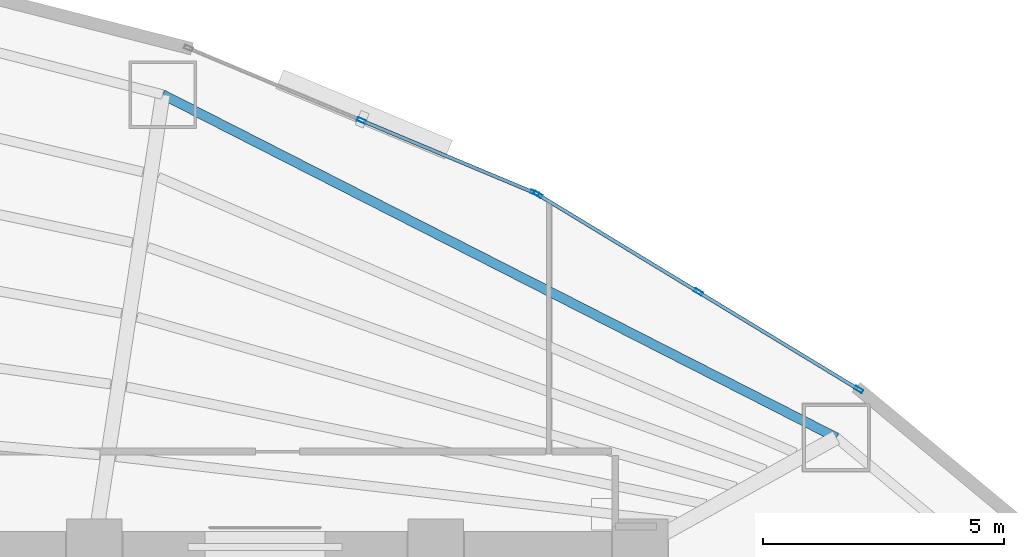
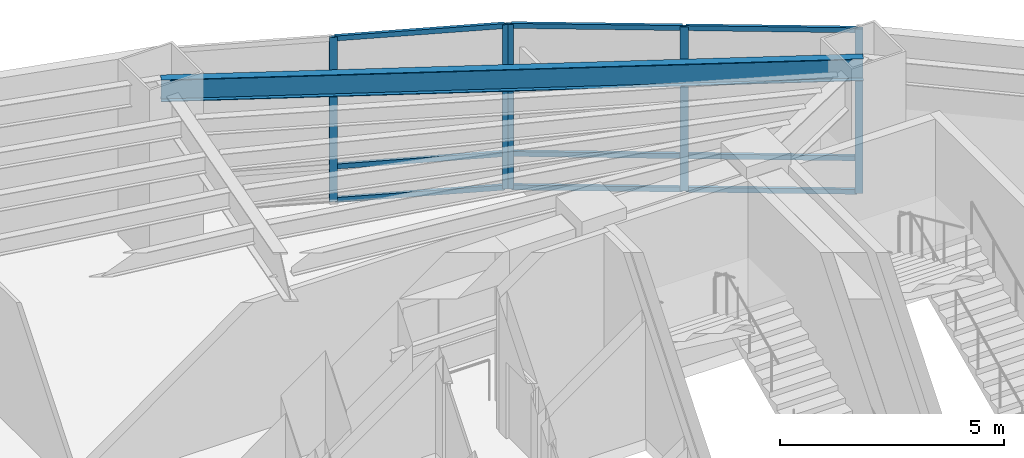
# One storey, part 10 of 18: 14 members, 1 beam, 2 elements without a shape of their own.
"""IFC4 building model written with IfcOpenShell, lengths in metres."""

from ifc_helpers import new_model, si_unit, direction, frame, origin, origin_2d, place, context, subcontext, project, spatial, hollow_rectangle, i_section, extrude, material, layer, layer_set, material_profile, profile_set, type_object, element, aggregate, save


model = new_model("IFC4")

# Units and contexts
model_context = context("Model", 3, precision=1e-05, world=origin(), true_north=direction((0.0, 1.0)))
body_context = subcontext(model_context, "Body", "Model", "MODEL_VIEW")
ifc_project = project(units=[si_unit("LENGTHUNIT", "METRE"), si_unit("AREAUNIT", "SQUARE_METRE"), si_unit("VOLUMEUNIT", "CUBIC_METRE"), si_unit("PLANEANGLEUNIT", "RADIAN"), si_unit("MASSUNIT", "GRAM", prefix="KILO")], contexts=[model_context])

# Site, building, storey
site_placement = place(None, origin())
site = spatial("IfcSite", under=ifc_project, at=site_placement, CompositionType="ELEMENT")
building_placement = place(site_placement, origin())
building = spatial("IfcBuilding", under=site, at=building_placement, Name="Menara Vayukalpa", CompositionType="ELEMENT")
storey_placement = place(building_placement, frame((0.0, 0.0, 7.199951171875)))
storey = spatial("IfcBuildingStorey", under=building, at=storey_placement, Name="L01", CompositionType="ELEMENT", Elevation=7.199951171875)

# Beam
ifc_material_1 = material(Name="Steel S355", Category="steel")
ifc_material_profile_1 = material_profile(ifc_material_1, i_section(OverallWidth=0.199951171875, OverallDepth=0.60009765625, WebThickness=0.010986328125, FlangeThickness=0.01708984375, at=origin_2d()), Name="WF 600x200x11x17")
ifc_profile_set_1 = profile_set([ifc_material_profile_1], Name="Steel S355")
beam_type = type_object("IfcBeamType", Name="BM-SP1", PredefinedType="SPANDREL", material=ifc_profile_set_1)
beam_placement = place(storey_placement, frame((37.47412109375, 29.07080078125, 4.179931640625), z_axis=(-0.891101872915, 0.453803318726, 0.0), x_axis=(-0.453803318726, -0.891101872915, 0.0)))
element("IfcBeam", 1, at=beam_placement, inside=storey, type_object=beam_type, Name="L01 Perimeter Spandrel Beam SP02", PredefinedType="SPANDREL", context=body_context, shape_type="SweptSolid", body=[
    extrude(i_section(OverallWidth=0.199951171875, OverallDepth=0.60009765625, WebThickness=0.010986328125, FlangeThickness=0.01708984375, at=origin_2d()), origin(), (0.0, 0.0, 1.0), 15.709228515625),
])

# Curtain wall, members
ifc_material_2 = material(Name="Anodised Terracotta Aluminium Alloy 6063-T6", Category="masonry")
ifc_layer = layer(ifc_material_2, 0.179931640625)
ifc_layer_set = layer_set([ifc_layer], Name="Anodised Terracotta Aluminium Alloy 6063-T6")
curtain_wall_type = type_object("IfcCurtainWallType", Name="CW-CW1", PredefinedType="USERDEFINED", material=ifc_layer_set)
curtain_wall_1_placement = place(storey_placement, origin())
curtain_wall_1 = element("IfcCurtainWall", 2, at=curtain_wall_1_placement, inside=storey, type_object=curtain_wall_type, Name="L01 Podium Unitised Ribbon Curtain Wall CW1 04", ObjectType="UNITISED", PredefinedType="USERDEFINED")
ifc_material_3 = material(Name="Anodised Terracotta Aluminium Alloy 6063-T6", Category="masonry")
ifc_material_profile_2 = material_profile(ifc_material_3, hollow_rectangle(XDim=0.074951171875, YDim=0.179931640625, WallThickness=0.00390625, at=origin_2d()), Name="ALU 75x180x4")
ifc_profile_set_2 = profile_set([ifc_material_profile_2], Name="Anodised Terracotta Aluminium Alloy 6063-T6")
member_type_1 = type_object("IfcMemberType", Name="CWM-CW1", PredefinedType="MULLION", material=ifc_profile_set_2)
member_1_placement = place(storey_placement, frame((37.941162109375, 30.070556640625, 0.0), z_axis=(0.0, 0.0, 1.0), x_axis=(-0.519179879231, -0.854664994604, 0.0)))
member_1 = element("IfcMember", 3, at=member_1_placement, type_object=member_type_1, Name="CW1 mullion 1", PredefinedType="MULLION", context=body_context, shape_type="SweptSolid", body=[
    extrude(hollow_rectangle(XDim=0.074951171875, YDim=0.179931640625, WallThickness=0.00390625, at=origin_2d()), origin(), (0.0, 0.0, 1.0), 4.47998046875),
])
member_2_placement = place(storey_placement, frame((34.607177734375, 32.095703125, 0.0), z_axis=(0.0, 0.0, 1.0), x_axis=(-0.519179879231, -0.854664994604, 0.0)))
member_2 = element("IfcMember", 4, at=member_2_placement, type_object=member_type_1, Name="CW1 mullion 2", PredefinedType="MULLION", context=body_context, shape_type="SweptSolid", body=[
    extrude(hollow_rectangle(XDim=0.074951171875, YDim=0.179931640625, WallThickness=0.00390625, at=origin_2d()), origin(), (0.0, 0.0, 1.0), 4.47998046875),
])
member_3_placement = place(storey_placement, frame((31.2734375, 34.12109375, 0.0), z_axis=(0.0, 0.0, 1.0), x_axis=(-0.519179879231, -0.854664994604, 0.0)))
member_3 = element("IfcMember", 5, at=member_3_placement, type_object=member_type_1, Name="CW1 mullion 3", PredefinedType="MULLION", context=body_context, shape_type="SweptSolid", body=[
    extrude(hollow_rectangle(XDim=0.074951171875, YDim=0.179931640625, WallThickness=0.00390625, at=origin_2d()), origin(), (0.0, 0.0, 1.0), 4.47998046875),
])

curtain_wall_2_placement = place(storey_placement, origin())
curtain_wall_2 = element("IfcCurtainWall", 6, at=curtain_wall_2_placement, inside=storey, type_object=curtain_wall_type, Name="L01 Podium Unitised Ribbon Curtain Wall CW1 05", ObjectType="UNITISED", PredefinedType="USERDEFINED")
member_4_placement = place(storey_placement, frame((31.206787109375, 34.155029296875, 0.0), z_axis=(0.0, 0.0, 1.0), x_axis=(-0.385890613077, -0.922544543499, 0.0)))
member_4 = element("IfcMember", 7, at=member_4_placement, type_object=member_type_1, Name="CW1 mullion 1", PredefinedType="MULLION", context=body_context, shape_type="SweptSolid", body=[
    extrude(hollow_rectangle(XDim=0.074951171875, YDim=0.179931640625, WallThickness=0.00390625, at=origin_2d()), origin(), (0.0, 0.0, 1.0), 4.47998046875),
])
member_5_placement = place(storey_placement, frame((27.608154296875, 35.66015625, 0.0), z_axis=(0.0, 0.0, 1.0), x_axis=(-0.385890613077, -0.922544543499, 0.0)))
member_5 = element("IfcMember", 8, at=member_5_placement, type_object=member_type_1, Name="CW1 mullion 2", PredefinedType="MULLION", context=body_context, shape_type="SweptSolid", body=[
    extrude(hollow_rectangle(XDim=0.074951171875, YDim=0.179931640625, WallThickness=0.00390625, at=origin_2d()), origin(), (0.0, 0.0, 1.0), 4.47998046875),
])

# Member
ifc_material_4 = material(Name="Anodised Terracotta Aluminium Alloy 6063-T6", Category="masonry")
ifc_material_profile_3 = material_profile(ifc_material_4, hollow_rectangle(XDim=0.074951171875, YDim=0.135009765625, WallThickness=0.00390625, at=origin_2d()), Name="ALU 75x135x4")
ifc_profile_set_3 = profile_set([ifc_material_profile_3], Name="Anodised Terracotta Aluminium Alloy 6063-T6")
member_type_2 = type_object("IfcMemberType", Name="CWT-CW1", PredefinedType="USERDEFINED", material=ifc_profile_set_3)
member_6_placement = place(storey_placement, frame((37.9091796875, 30.090087890625, 0.03759765625), z_axis=(-0.85465908819, 0.519189602144, 0.0), x_axis=(-0.519189602144, -0.85465908819, 0.0)))
member_6 = element("IfcMember", 9, at=member_6_placement, type_object=member_type_2, Name="CW1 transom 1.1", ObjectType="TRANSOM", PredefinedType="USERDEFINED", context=body_context, shape_type="SweptSolid", body=[
    extrude(hollow_rectangle(XDim=0.074951171875, YDim=0.135009765625, WallThickness=0.00390625, at=origin_2d()), origin(), (0.0, 0.0, 1.0), 3.825927734375),
])

member_7_placement = place(storey_placement, frame((37.9091796875, 30.090087890625, 0.949951171875), z_axis=(-0.85465908819, 0.519189602144, 0.0), x_axis=(-0.519189602144, -0.85465908819, 0.0)))
member_7 = element("IfcMember", 10, at=member_7_placement, type_object=member_type_2, Name="CW1 transom 1.2", ObjectType="TRANSOM", PredefinedType="USERDEFINED", context=body_context, shape_type="SweptSolid", body=[
    extrude(hollow_rectangle(XDim=0.074951171875, YDim=0.135009765625, WallThickness=0.00390625, at=origin_2d()), origin(), (0.0, 0.0, 1.0), 3.825927734375),
])

member_8_placement = place(storey_placement, frame((37.9091796875, 30.090087890625, 4.442626953125), z_axis=(-0.85465908819, 0.519189602144, 0.0), x_axis=(-0.519189602144, -0.85465908819, 0.0)))
member_8 = element("IfcMember", 11, at=member_8_placement, type_object=member_type_2, Name="CW1 transom 1.3", ObjectType="TRANSOM", PredefinedType="USERDEFINED", context=body_context, shape_type="SweptSolid", body=[
    extrude(hollow_rectangle(XDim=0.074951171875, YDim=0.135009765625, WallThickness=0.00390625, at=origin_2d()), origin(), (0.0, 0.0, 1.0), 3.825927734375),
])

member_9_placement = place(storey_placement, frame((34.5751953125, 32.115234375, 0.03759765625), z_axis=(-0.85465908819, 0.519189602144, 0.0), x_axis=(-0.519189602144, -0.85465908819, 0.0)))
member_9 = element("IfcMember", 12, at=member_9_placement, type_object=member_type_2, Name="CW1 transom 2.1", ObjectType="TRANSOM", PredefinedType="USERDEFINED", context=body_context, shape_type="SweptSolid", body=[
    extrude(hollow_rectangle(XDim=0.074951171875, YDim=0.135009765625, WallThickness=0.00390625, at=origin_2d()), origin(), (0.0, 0.0, 1.0), 3.825927734375),
])

member_10_placement = place(storey_placement, frame((34.5751953125, 32.115234375, 0.949951171875), z_axis=(-0.85465908819, 0.519189602144, 0.0), x_axis=(-0.519189602144, -0.85465908819, 0.0)))
member_10 = element("IfcMember", 13, at=member_10_placement, type_object=member_type_2, Name="CW1 transom 2.2", ObjectType="TRANSOM", PredefinedType="USERDEFINED", context=body_context, shape_type="SweptSolid", body=[
    extrude(hollow_rectangle(XDim=0.074951171875, YDim=0.135009765625, WallThickness=0.00390625, at=origin_2d()), origin(), (0.0, 0.0, 1.0), 3.825927734375),
])

member_11_placement = place(storey_placement, frame((34.5751953125, 32.115234375, 4.442626953125), z_axis=(-0.85465908819, 0.519189602144, 0.0), x_axis=(-0.519189602144, -0.85465908819, 0.0)))
member_11 = element("IfcMember", 14, at=member_11_placement, type_object=member_type_2, Name="CW1 transom 2.3", ObjectType="TRANSOM", PredefinedType="USERDEFINED", context=body_context, shape_type="SweptSolid", body=[
    extrude(hollow_rectangle(XDim=0.074951171875, YDim=0.135009765625, WallThickness=0.00390625, at=origin_2d()), origin(), (0.0, 0.0, 1.0), 3.825927734375),
])

aggregate(curtain_wall_1, [member_1, member_2, member_3, member_6, member_7, member_8, member_9, member_10, member_11])

member_12_placement = place(storey_placement, frame((31.172119140625, 34.16943359375, 0.03759765625), z_axis=(-0.922549314237, 0.385879207525, 0.0), x_axis=(-0.385879207525, -0.922549314237, 0.0)))
member_12 = element("IfcMember", 15, at=member_12_placement, type_object=member_type_2, Name="CW1 transom 1.1", ObjectType="TRANSOM", PredefinedType="USERDEFINED", context=body_context, shape_type="SweptSolid", body=[
    extrude(hollow_rectangle(XDim=0.074951171875, YDim=0.135009765625, WallThickness=0.00390625, at=origin_2d()), origin(), (0.0, 0.0, 1.0), 3.825927734375),
])

member_13_placement = place(storey_placement, frame((31.172119140625, 34.16943359375, 0.949951171875), z_axis=(-0.922549314237, 0.385879207525, 0.0), x_axis=(-0.385879207525, -0.922549314237, 0.0)))
member_13 = element("IfcMember", 16, at=member_13_placement, type_object=member_type_2, Name="CW1 transom 1.2", ObjectType="TRANSOM", PredefinedType="USERDEFINED", context=body_context, shape_type="SweptSolid", body=[
    extrude(hollow_rectangle(XDim=0.074951171875, YDim=0.135009765625, WallThickness=0.00390625, at=origin_2d()), origin(), (0.0, 0.0, 1.0), 3.825927734375),
])

member_14_placement = place(storey_placement, frame((31.172119140625, 34.16943359375, 4.442626953125), z_axis=(-0.922549314237, 0.385879207525, 0.0), x_axis=(-0.385879207525, -0.922549314237, 0.0)))
member_14 = element("IfcMember", 17, at=member_14_placement, type_object=member_type_2, Name="CW1 transom 1.3", ObjectType="TRANSOM", PredefinedType="USERDEFINED", context=body_context, shape_type="SweptSolid", body=[
    extrude(hollow_rectangle(XDim=0.074951171875, YDim=0.135009765625, WallThickness=0.00390625, at=origin_2d()), origin(), (0.0, 0.0, 1.0), 3.825927734375),
])

aggregate(curtain_wall_2, [member_4, member_5, member_12, member_13, member_14])

save(model, "model.ifc")
